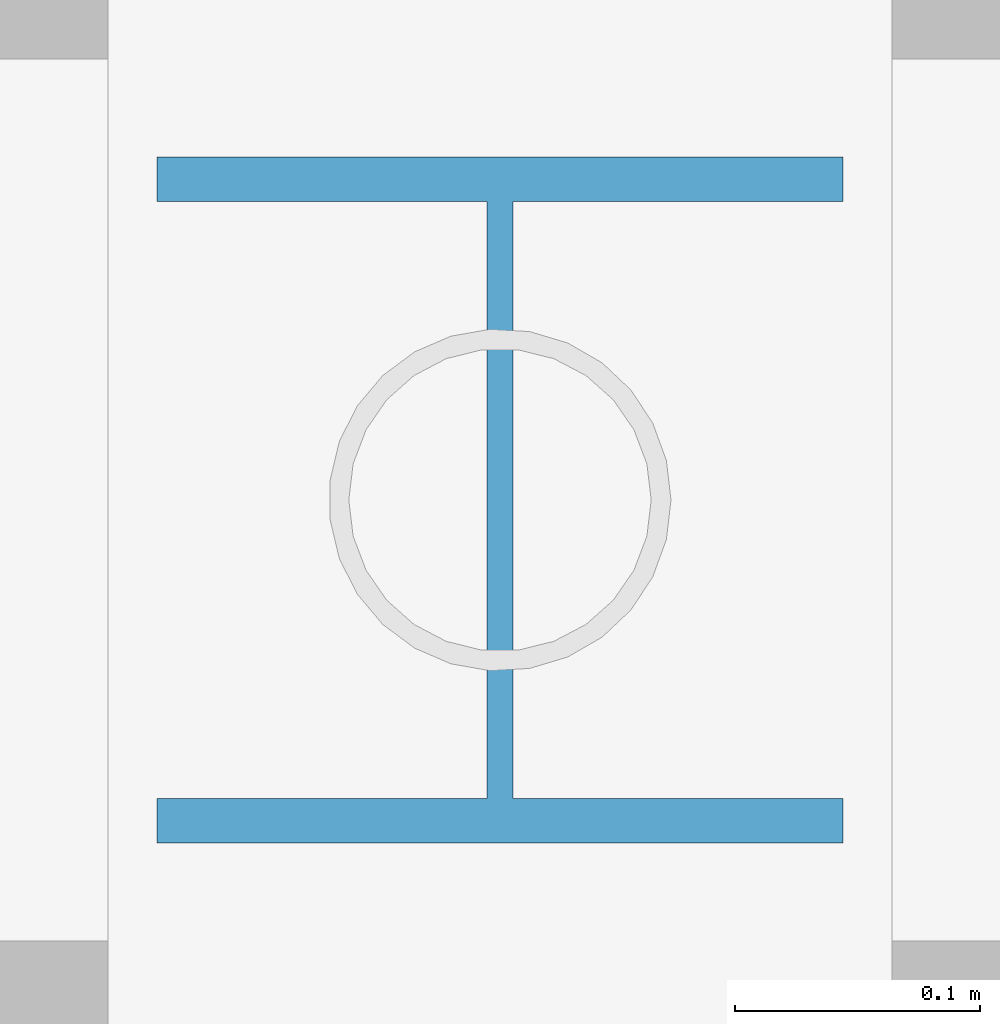
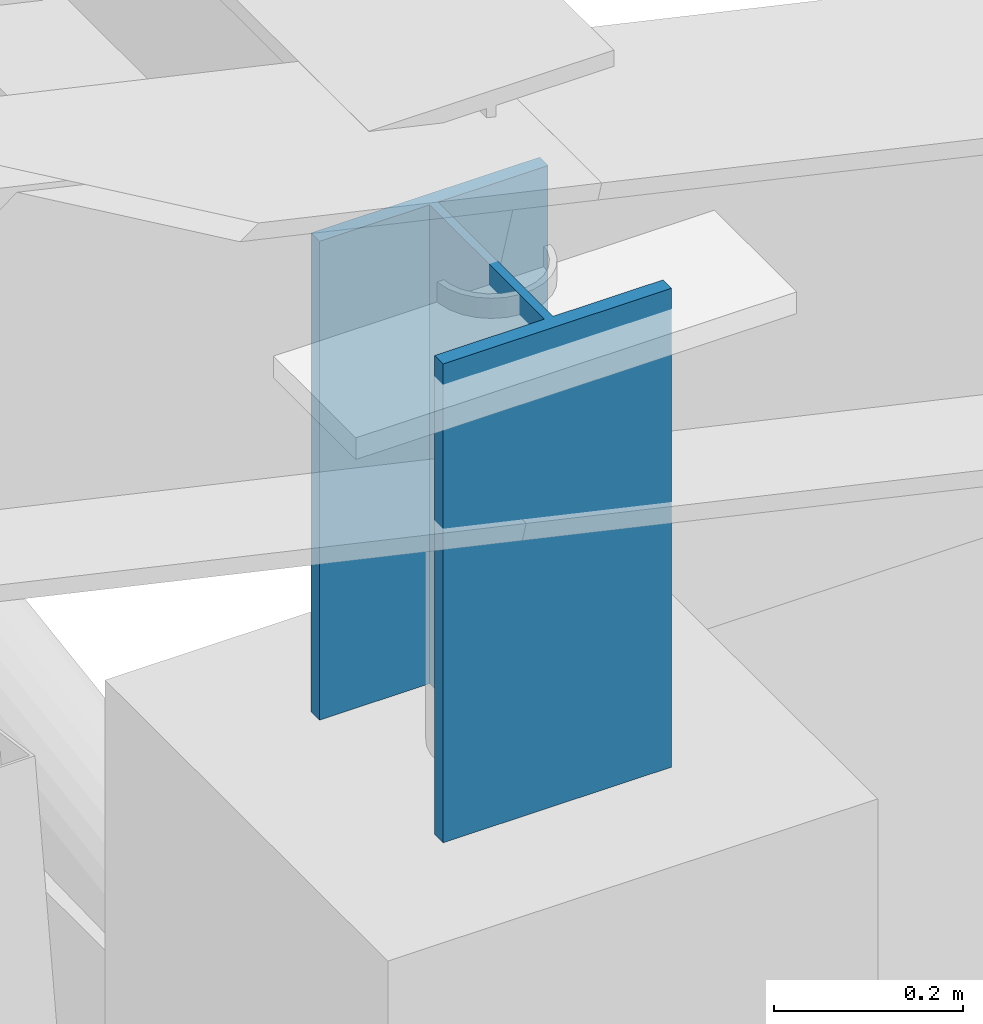
# One storey, part 13 of 130: 1 column.
"""IFC4 building model written with IfcOpenShell, lengths in metres."""

import ifcopenshell
import ifcopenshell.guid

model = None  # the IFC model being written
_history = None  # IfcOwnerHistory: only IFC2X3 demands one
_inside = {}  # id of a spatial element -> (the spatial element, [elements in it])
_under = {}  # id of a project, library or spatial element -> (it, [spatial elements below it])
_declared = {}  # id of a project -> (the project, [libraries it declares])
_typed = {}  # id of a type object -> (the type object, [elements of that type])
_made_of = {}  # id of a material, layer set ... -> (it, [elements and type objects made of it])


def new_model(schema):
    """Start an empty IFC model of exactly this schema.

    Asked for "IFC4X3", IfcOpenShell would pick the latest addendum, in which some entities
    have other attributes; the version numbers below select the first issue.
    IFC2X3 requires an IfcOwnerHistory on every rooted entity: one is made here for all.
    """
    global model, _history
    if schema == "IFC4X3":
        model = ifcopenshell.file(schema_version=(4, 3, 0, 0))
    else:
        model = ifcopenshell.file(schema=schema)
    _inside.clear()
    _under.clear()
    _declared.clear()
    _typed.clear()
    _made_of.clear()
    _history = None
    if model.schema == "IFC2X3":
        org = make("IfcOrganization", Name="unknown")
        user = make(
            "IfcPersonAndOrganization",
            ThePerson=make("IfcPerson", FamilyName="unknown"),
            TheOrganization=org,
        )
        app = make(
            "IfcApplication",
            ApplicationDeveloper=org,
            Version="unknown",
            ApplicationFullName="unknown",
            ApplicationIdentifier="unknown",
        )
        _history = make(
            "IfcOwnerHistory",
            OwningUser=user,
            OwningApplication=app,
            ChangeAction="ADDED",
            CreationDate=0,
        )
    return model


def make(cls, **values):
    """One entity of the class cls with the attributes given. An attribute that is None is left unset."""
    return model.create_entity(
        cls, **{name: value for name, value in values.items() if value is not None}
    )


def rooted(cls, **values):
    """An entity with a GlobalId (a new one), such as an element, a storey or a relation."""
    return make(cls, GlobalId=ifcopenshell.guid.new(), OwnerHistory=_history, **values)


def si_unit(unit_type, name, prefix=None):
    """IfcSIUnit, for example si_unit("LENGTHUNIT", "METRE", prefix="MILLI")."""
    return make("IfcSIUnit", UnitType=unit_type, Prefix=prefix, Name=name)


def assignment(units):
    """IfcUnitAssignment: the units of a project."""
    return None if units is None else make("IfcUnitAssignment", Units=units)


def point(xyz):
    """IfcCartesianPoint."""
    return None if xyz is None else make("IfcCartesianPoint", Coordinates=xyz)


def direction(xyz):
    """IfcDirection."""
    return None if xyz is None else make("IfcDirection", DirectionRatios=xyz)


def frame(location, z_axis=None, x_axis=None):
    """IfcAxis2Placement3D, a coordinate frame: its origin and axes. An axis left out is left unset."""
    return make(
        "IfcAxis2Placement3D",
        Location=point(location),
        Axis=direction(z_axis),
        RefDirection=direction(x_axis),
    )


def frame_2d(location, x_axis=None):
    """IfcAxis2Placement2D, a coordinate frame in the plane: its origin and x axis."""
    return make(
        "IfcAxis2Placement2D", Location=point(location), RefDirection=direction(x_axis)
    )


def origin():
    """The frame at (0, 0, 0) with its axes left unset."""
    return frame((0.0, 0.0, 0.0))


def origin_2d():
    """The frame at (0, 0) in the plane with its x axis left unset."""
    return frame_2d((0.0, 0.0))


def place(relative_to, where):
    """IfcLocalPlacement: puts the frame where relative to a parent placement (None: the world)."""
    return make(
        "IfcLocalPlacement", PlacementRelTo=relative_to, RelativePlacement=where
    )


def context(
    kind, dimensions, precision=None, world=None, true_north=None, identifier=None
):
    """IfcGeometricRepresentationContext, for example the 3D "Model" context."""
    return make(
        "IfcGeometricRepresentationContext",
        ContextIdentifier=identifier,
        ContextType=kind,
        CoordinateSpaceDimension=dimensions,
        Precision=precision,
        WorldCoordinateSystem=world,
        TrueNorth=true_north,
    )


def subcontext(parent, identifier, kind, view, scale=None):
    """IfcGeometricRepresentationSubContext, for example "Body" below "Model"."""
    return make(
        "IfcGeometricRepresentationSubContext",
        ContextIdentifier=identifier,
        ContextType=kind,
        ParentContext=parent,
        TargetScale=scale,
        TargetView=view,
    )


def project(units=None, contexts=None):
    """IfcProject with its units and contexts."""
    return rooted(
        "IfcProject",
        Name="project",
        RepresentationContexts=contexts,
        UnitsInContext=assignment(units),
    )


def spatial(cls, under=None, at=None, **own):
    """A site, building, storey or space (cls), placed at a placement, below another one or the project."""
    s = rooted(cls, ObjectPlacement=at, **own)
    if under is not None:
        _under.setdefault(under.id(), (under, []))[1].append(s)
    return s


def profile(cls, at=None, kind="AREA", **sizes):
    """A parametric profile (cls). Its sizes go by their IFC names, for example OverallWidth=200.0."""
    return make(cls, ProfileType=kind, Position=at, **sizes)


def i_section(**sizes):
    """IfcIShapeProfileDef."""
    return profile("IfcIShapeProfileDef", **sizes)


def extrude(swept, where, along, depth):
    """IfcExtrudedAreaSolid: the profile swept, set in the frame where, extruded along a direction by depth."""
    return make(
        "IfcExtrudedAreaSolid",
        SweptArea=swept,
        Position=where,
        ExtrudedDirection=direction(along),
        Depth=depth,
    )


def shape(context_of_items, identifier, shape_type, items):
    """IfcShapeRepresentation: the items that make up one representation, for example the "Body"."""
    return make(
        "IfcShapeRepresentation",
        ContextOfItems=context_of_items,
        RepresentationIdentifier=identifier,
        RepresentationType=shape_type,
        Items=items,
    )


def material(Name=None, Category=None):
    """IfcMaterial."""
    return make("IfcMaterial", Name=Name, Category=Category)


def material_profile(
    of_material, cross_section, Name=None, Category=None, Priority=None
):
    """IfcMaterialProfile: a cross section and its material."""
    return make(
        "IfcMaterialProfile",
        Name=Name,
        Material=of_material,
        Profile=cross_section,
        Priority=Priority,
        Category=Category,
    )


def profile_set(profiles, Name=None, composite=None):
    """IfcMaterialProfileSet."""
    return make(
        "IfcMaterialProfileSet",
        Name=Name,
        MaterialProfiles=profiles,
        CompositeProfile=composite,
    )


def made_of(thing, what):
    """Note that an element or type object is made of a material, layer set ...; save() writes the relation."""
    if what is not None:
        _made_of.setdefault(what.id(), (what, []))[1].append(thing)
    return thing


def type_object(cls, material=None, **own):
    """A type object (cls), such as IfcWallType, which elements share."""
    return made_of(rooted(cls, **own), material)


def element(
    cls,
    number,
    at=None,
    inside=None,
    cuts=None,
    type_object=None,
    material=None,
    context=None,
    identifier="Body",
    shape_type=None,
    held_by="IfcProductDefinitionShape",
    body=None,
    shapes=None,
    **own,
):
    """One element of the class cls, such as IfcWall. Its Tag is "e" and its number.

    at: its placement. inside: the storey or other place that contains it. cuts: it is an
    opening in that element (IfcRelVoidsElement). A single representation is given by context,
    identifier, shape_type and body (its items); several are given by shapes. held_by: the class
    of the entity that holds the representations. save() writes the other relations.
    """
    e = rooted(cls, Tag="e%d" % number, ObjectPlacement=at, **own)
    if body is not None:
        shapes = [shape(context, identifier, shape_type, body)]
    if shapes is not None:
        e.Representation = make(held_by, Representations=shapes)
    if inside is not None:
        _inside.setdefault(inside.id(), (inside, []))[1].append(e)
    if cuts is not None:
        rooted(
            "IfcRelVoidsElement", RelatingBuildingElement=cuts, RelatedOpeningElement=e
        )
    if type_object is not None:
        _typed.setdefault(type_object.id(), (type_object, []))[1].append(e)
    return made_of(e, material)


def aggregate(whole, parts):
    """IfcRelAggregates: a whole, such as a stair, and the parts it consists of."""
    return rooted("IfcRelAggregates", RelatingObject=whole, RelatedObjects=parts)


def save(model, path):
    """Write the relations noted so far, then the file.

    IfcRelAggregates (storeys below a building ...), IfcRelContainedInSpatialStructure (elements
    in a storey), IfcRelDefinesByType, IfcRelAssociatesMaterial and IfcRelDeclares: one each for
    every whole, place, type object, material and project.
    """
    for whole, parts in _under.values():
        aggregate(whole, parts)
    for where, things in _inside.values():
        rooted(
            "IfcRelContainedInSpatialStructure",
            RelatedElements=things,
            RelatingStructure=where,
        )
    for kind, things in _typed.values():
        rooted("IfcRelDefinesByType", RelatedObjects=things, RelatingType=kind)
    for what, things in _made_of.values():
        rooted("IfcRelAssociatesMaterial", RelatedObjects=things, RelatingMaterial=what)
    for by, libraries in _declared.values():
        rooted("IfcRelDeclares", RelatingContext=by, RelatedDefinitions=libraries)
    model.write(path)


model = new_model("IFC4")

# Units and contexts
model_context = context("Model", 3, precision=1e-05, world=origin(), true_north=direction((0.0, 1.0)))
body_context = subcontext(model_context, "Body", "Model", "MODEL_VIEW")
ifc_project = project(units=[si_unit("LENGTHUNIT", "METRE"), si_unit("AREAUNIT", "SQUARE_METRE"), si_unit("VOLUMEUNIT", "CUBIC_METRE"), si_unit("PLANEANGLEUNIT", "RADIAN"), si_unit("MASSUNIT", "GRAM", prefix="KILO")], contexts=[model_context])

# Site, building, storey
site_placement = place(None, origin())
site = spatial("IfcSite", under=ifc_project, at=site_placement, CompositionType="ELEMENT")
building_placement = place(site_placement, origin())
building = spatial("IfcBuilding", under=site, at=building_placement, Name="Lykobir Media Centre", CompositionType="ELEMENT")
storey_placement = place(building_placement, frame((0.0, 0.0, 19.199951171875)))
storey = spatial("IfcBuildingStorey", under=building, at=storey_placement, Name="L04", CompositionType="ELEMENT", Elevation=19.199951171875)

# Column
ifc_material = material(Name="Steel S355", Category="steel")
ifc_material_profile = material_profile(ifc_material, i_section(OverallWidth=0.280029296875, OverallDepth=0.280029296875, WebThickness=0.010498046875, FlangeThickness=0.01806640625, at=origin_2d()), Name="HEB 280")
ifc_profile_set = profile_set([ifc_material_profile], Name="Steel S355")
column_type = type_object("IfcColumnType", Name="SC-HEB280", PredefinedType="COLUMN", material=ifc_profile_set)
column_placement = place(storey_placement, frame((63.0, 63.0, 4.199951171875), z_axis=(0.0, 0.0, 1.0), x_axis=(1.0, 0.0, 0.0)))
element("IfcColumn", 1, at=column_placement, inside=storey, type_object=column_type, Name="V6 roof portal post 63-63", PredefinedType="COLUMN", context=body_context, shape_type="SweptSolid", body=[
    extrude(i_section(OverallWidth=0.280029296875, OverallDepth=0.280029296875, WebThickness=0.010498046875, FlangeThickness=0.01806640625, at=origin_2d()), origin(), (0.0, 0.0, 1.0), 0.6201171875),
])

save(model, "model.ifc")
